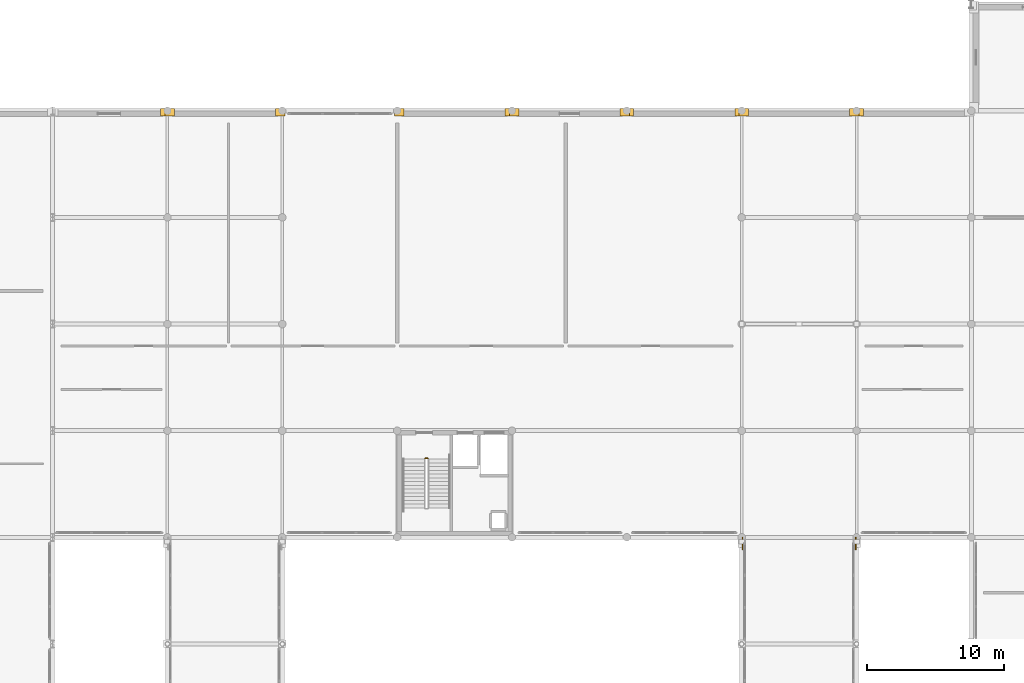
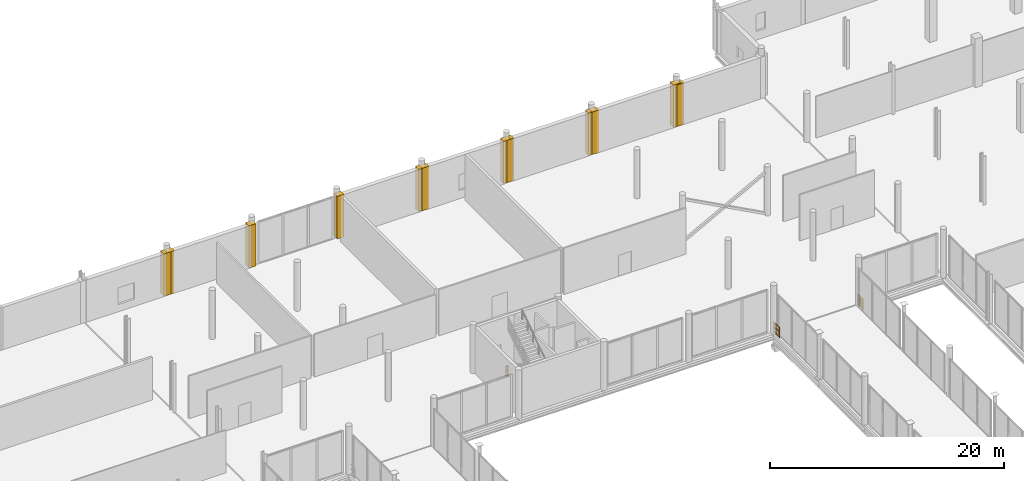
# One storey, part 101 of 105: 12 coverings, 3 railings.
"""IFC4 building model written with IfcOpenShell, lengths in metres."""

from ifc_helpers import new_model, si_unit, direction, frame, origin, origin_2d, place, context, subcontext, project, spatial, polyline, circle, outline, extrude, material, layer, layer_set, type_object, element, save


model = new_model("IFC4")

# Units and contexts
model_context = context("Model", 3, precision=1e-05, world=origin(), true_north=direction((0.0, 1.0)))
body_context = subcontext(model_context, "Body", "Model", "MODEL_VIEW")
ifc_project = project(units=[si_unit("LENGTHUNIT", "METRE"), si_unit("AREAUNIT", "SQUARE_METRE"), si_unit("VOLUMEUNIT", "CUBIC_METRE"), si_unit("PLANEANGLEUNIT", "RADIAN"), si_unit("MASSUNIT", "GRAM", prefix="KILO")], contexts=[model_context])

# Site, building, storey
site_placement = place(None, origin())
site = spatial("IfcSite", under=ifc_project, at=site_placement, CompositionType="ELEMENT")
building_placement = place(site_placement, origin())
building = spatial("IfcBuilding", under=site, at=building_placement, Name="Nabrawat Pavilion Hospital", CompositionType="ELEMENT")
storey_placement = place(building_placement, frame((0.0, 0.0, 5.10009765625)))
storey = spatial("IfcBuildingStorey", under=building, at=storey_placement, Name="L01", CompositionType="ELEMENT", Elevation=5.10009765625)

# Coverings
ifc_material_1 = material(Name="Precast concrete C40/50", Category="concrete")
ifc_layer_1 = layer(ifc_material_1, 0.360107421875, Name="Precast concrete C40/50")
ifc_layer_set_1 = layer_set([ifc_layer_1], Name="Precast concrete C40/50")
covering_type = type_object("IfcCoveringType", Name="Architectural Precast Column-Jamb Closure Reveal", PredefinedType="CLADDING", material=ifc_layer_set_1)
covering_1_placement = place(storey_placement, origin())
element("IfcCovering", 1, at=covering_1_placement, inside=storey, type_object=covering_type, Name="L01 Precast Facade Column-Jamb Weatherseal Closure 0226", PredefinedType="CLADDING", context=body_context, shape_type="SweptSolid", body=[
    extrude(outline(polyline([(67.3798828125, 116.60009765625), (67.3798828125, 117.179931640625), (66.695068359375, 117.179931640625), (66.695068359375, 116.60009765625), (67.3798828125, 116.60009765625)])), origin(), (0.0, 0.0, 1.0), 4.419921875),
])
covering_2_placement = place(storey_placement, origin())
element("IfcCovering", 2, at=covering_2_placement, inside=storey, type_object=covering_type, Name="L01 Precast Facade Column-Jamb Weatherseal Closure 0227", PredefinedType="CLADDING", context=body_context, shape_type="SweptSolid", body=[
    extrude(outline(polyline([(67.705078125, 116.60009765625), (67.705078125, 117.179931640625), (67.02001953125, 117.179931640625), (67.02001953125, 116.60009765625), (67.705078125, 116.60009765625)])), origin(), (0.0, 0.0, 1.0), 4.429931640625),
])
covering_3_placement = place(storey_placement, origin())
element("IfcCovering", 3, at=covering_3_placement, inside=storey, type_object=covering_type, Name="L01 Precast Facade Column-Jamb Weatherseal Closure 0228", PredefinedType="CLADDING", context=body_context, shape_type="SweptSolid", body=[
    extrude(outline(polyline([(75.780029296875, 116.60009765625), (75.780029296875, 117.179931640625), (75.094970703125, 117.179931640625), (75.094970703125, 116.60009765625), (75.780029296875, 116.60009765625)])), origin(), (0.0, 0.0, 1.0), 4.429931640625),
])
covering_4_placement = place(storey_placement, origin())
element("IfcCovering", 4, at=covering_4_placement, inside=storey, type_object=covering_type, Name="L01 Precast Facade Column-Jamb Weatherseal Closure 0229", PredefinedType="CLADDING", context=body_context, shape_type="SweptSolid", body=[
    extrude(outline(polyline([(84.5048828125, 116.60009765625), (84.5048828125, 117.179931640625), (83.820068359375, 117.179931640625), (83.820068359375, 116.60009765625), (84.5048828125, 116.60009765625)])), origin(), (0.0, 0.0, 1.0), 4.43994140625),
])
covering_5_placement = place(storey_placement, origin())
element("IfcCovering", 5, at=covering_5_placement, inside=storey, type_object=covering_type, Name="L01 Precast Facade Column-Jamb Weatherseal Closure 0230", PredefinedType="CLADDING", context=body_context, shape_type="SweptSolid", body=[
    extrude(outline(polyline([(92.580078125, 116.60009765625), (92.580078125, 117.179931640625), (91.89501953125, 117.179931640625), (91.89501953125, 116.60009765625), (92.580078125, 116.60009765625)])), origin(), (0.0, 0.0, 1.0), 4.43994140625),
])
covering_6_placement = place(storey_placement, origin())
element("IfcCovering", 6, at=covering_6_placement, inside=storey, type_object=covering_type, Name="L01 Precast Facade Column-Jamb Weatherseal Closure 0231", PredefinedType="CLADDING", context=body_context, shape_type="SweptSolid", body=[
    extrude(outline(polyline([(92.905029296875, 116.60009765625), (92.905029296875, 117.179931640625), (92.219970703125, 117.179931640625), (92.219970703125, 116.60009765625), (92.905029296875, 116.60009765625)])), origin(), (0.0, 0.0, 1.0), 4.43994140625),
])
covering_7_placement = place(storey_placement, origin())
element("IfcCovering", 7, at=covering_7_placement, inside=storey, type_object=covering_type, Name="L01 Precast Facade Column-Jamb Weatherseal Closure 0232", PredefinedType="CLADDING", context=body_context, shape_type="SweptSolid", body=[
    extrude(outline(polyline([(100.97998046875, 116.60009765625), (100.97998046875, 117.179931640625), (100.294921875, 117.179931640625), (100.294921875, 116.60009765625), (100.97998046875, 116.60009765625)])), origin(), (0.0, 0.0, 1.0), 4.43994140625),
])
covering_8_placement = place(storey_placement, origin())
element("IfcCovering", 8, at=covering_8_placement, inside=storey, type_object=covering_type, Name="L01 Precast Facade Column-Jamb Weatherseal Closure 0233", PredefinedType="CLADDING", context=body_context, shape_type="SweptSolid", body=[
    extrude(outline(polyline([(101.304931640625, 116.60009765625), (101.304931640625, 117.179931640625), (100.6201171875, 117.179931640625), (100.6201171875, 116.60009765625), (101.304931640625, 116.60009765625)])), origin(), (0.0, 0.0, 1.0), 4.429931640625),
])
covering_9_placement = place(storey_placement, origin())
element("IfcCovering", 9, at=covering_9_placement, inside=storey, type_object=covering_type, Name="L01 Precast Facade Column-Jamb Weatherseal Closure 0234", PredefinedType="CLADDING", context=body_context, shape_type="SweptSolid", body=[
    extrude(outline(polyline([(109.3798828125, 116.60009765625), (109.3798828125, 117.179931640625), (108.695068359375, 117.179931640625), (108.695068359375, 116.60009765625), (109.3798828125, 116.60009765625)])), origin(), (0.0, 0.0, 1.0), 4.429931640625),
])
covering_10_placement = place(storey_placement, origin())
element("IfcCovering", 10, at=covering_10_placement, inside=storey, type_object=covering_type, Name="L01 Precast Facade Column-Jamb Weatherseal Closure 0235", PredefinedType="CLADDING", context=body_context, shape_type="SweptSolid", body=[
    extrude(outline(polyline([(109.705078125, 116.60009765625), (109.705078125, 117.179931640625), (109.02001953125, 117.179931640625), (109.02001953125, 116.60009765625), (109.705078125, 116.60009765625)])), origin(), (0.0, 0.0, 1.0), 4.429931640625),
])
covering_11_placement = place(storey_placement, origin())
element("IfcCovering", 11, at=covering_11_placement, inside=storey, type_object=covering_type, Name="L01 Precast Facade Column-Jamb Weatherseal Closure 0236", PredefinedType="CLADDING", context=body_context, shape_type="SweptSolid", body=[
    extrude(outline(polyline([(117.780029296875, 116.60009765625), (117.780029296875, 117.179931640625), (117.094970703125, 117.179931640625), (117.094970703125, 116.60009765625), (117.780029296875, 116.60009765625)])), origin(), (0.0, 0.0, 1.0), 4.429931640625),
])
covering_12_placement = place(storey_placement, origin())
element("IfcCovering", 12, at=covering_12_placement, inside=storey, type_object=covering_type, Name="L01 Precast Facade Column-Jamb Weatherseal Closure 0237", PredefinedType="CLADDING", context=body_context, shape_type="SweptSolid", body=[
    extrude(outline(polyline([(118.10498046875, 116.60009765625), (118.10498046875, 117.179931640625), (117.419921875, 117.179931640625), (117.419921875, 116.60009765625), (118.10498046875, 116.60009765625)])), origin(), (0.0, 0.0, 1.0), 4.329833984375),
])

# Railings
ifc_material_2 = material(Name="Stainless Steel 316", Category="steel")
ifc_layer_2 = layer(ifc_material_2, 0.070068359375, Name="Stainless Steel 316")
ifc_layer_set_2 = layer_set([ifc_layer_2], Name="Stainless Steel 316")
railing_type_1 = type_object("IfcRailingType", Name="Exterior Clinical Terrace Safety Guardrail 1100", PredefinedType="GUARDRAIL", material=ifc_layer_set_2)
for number, where, name in (
    (13, (109.260009765625, 84.89990234375, 0.0), "L01 Courtyard Seismic Joint Corner Guardrail 08"),
    (14, (117.5400390625, 84.89990234375, 0.0), "L01 Courtyard Seismic Joint Corner Guardrail 09"),
):
    element("IfcRailing", number, at=place(storey_placement, frame(where)), inside=storey, type_object=railing_type_1, Name=name, PredefinedType="GUARDRAIL", context=body_context, shape_type="SweptSolid", body=[
        extrude(circle(Radius=0.02392578125, at=origin_2d()), frame((0.0, 0.0, 1.09619140625), z_axis=(0.0, 1.0, 0.0), x_axis=(-1.0, 0.0, 0.0)), (0.0, 0.0, 1.0), 0.900146484375),
        extrude(circle(Radius=0.02392578125, at=origin_2d()), frame((0.0, 0.0, 0.10009765625), z_axis=(0.0, 1.0, 0.0), x_axis=(-1.0, 0.0, 0.0)), (0.0, 0.0, 1.0), 0.900146484375),
        extrude(circle(Radius=0.02392578125, at=origin_2d()), frame((0.0, 0.0, 0.615966796875), z_axis=(0.0, 1.0, 0.0), x_axis=(-1.0, 0.0, 0.0)), (0.0, 0.0, 1.0), 0.900146484375),
        extrude(circle(Radius=0.008056640625, at=origin_2d()), frame((0.0, 0.22509765625, 0.10009765625)), (0.0, 0.0, 1.0), 0.971923828125),
        extrude(circle(Radius=0.008056640625, at=origin_2d()), frame((0.0, 0.4501953125, 0.10009765625)), (0.0, 0.0, 1.0), 0.971923828125),
        extrude(circle(Radius=0.008056640625, at=origin_2d()), frame((0.0, 0.675048828125, 0.10009765625)), (0.0, 0.0, 1.0), 0.971923828125),
        extrude(circle(Radius=0.02099609375, at=origin_2d()), origin(), (0.0, 0.0, 1.0), 1.072021484375),
        extrude(circle(Radius=0.02099609375, at=origin_2d()), frame((0.0, 0.900146484375, 0.0)), (0.0, 0.0, 1.0), 1.072021484375),
    ])
ifc_layer_3 = layer(ifc_material_2, 0.050048828125, Name="Stainless Steel 316")
ifc_layer_set_3 = layer_set([ifc_layer_3], Name="Stainless Steel 316")
railing_type_2 = type_object("IfcRailingType", Name="Stair Open-Well Safety Guardrail 1100", PredefinedType="GUARDRAIL", material=ifc_layer_set_3)
railing_placement = place(storey_placement, frame((86.050048828125, 91.580078125, 0.0)))
element("IfcRailing", 15, at=railing_placement, inside=storey, type_object=railing_type_2, Name="L01 ST-03 stair guard 4", PredefinedType="GUARDRAIL", context=body_context, shape_type="SweptSolid", body=[
    extrude(circle(Radius=0.02392578125, at=origin_2d()), frame((0.0, 0.0, 1.076171875), z_axis=(1.0, 0.0, 0.0), x_axis=(0.0, 1.0, 0.0)), (0.0, 0.0, 1.0), 0.199951171875),
    extrude(circle(Radius=0.02392578125, at=origin_2d()), frame((0.0, 0.0, 0.10009765625), z_axis=(1.0, 0.0, 0.0), x_axis=(0.0, 1.0, 0.0)), (0.0, 0.0, 1.0), 0.199951171875),
    extrude(circle(Radius=0.02392578125, at=origin_2d()), frame((0.0, 0.0, 0.60498046875), z_axis=(1.0, 0.0, 0.0), x_axis=(0.0, 1.0, 0.0)), (0.0, 0.0, 1.0), 0.199951171875),
    extrude(circle(Radius=0.008056640625, at=origin_2d()), frame((0.10009765625, 0.0, 0.10009765625)), (0.0, 0.0, 1.0), 0.951904296875),
    extrude(circle(Radius=0.02099609375, at=origin_2d()), origin(), (0.0, 0.0, 1.0), 1.052001953125),
    extrude(circle(Radius=0.02099609375, at=origin_2d()), frame((0.199951171875, 0.0, 0.0)), (0.0, 0.0, 1.0), 1.052001953125),
])

save(model, "model.ifc")
